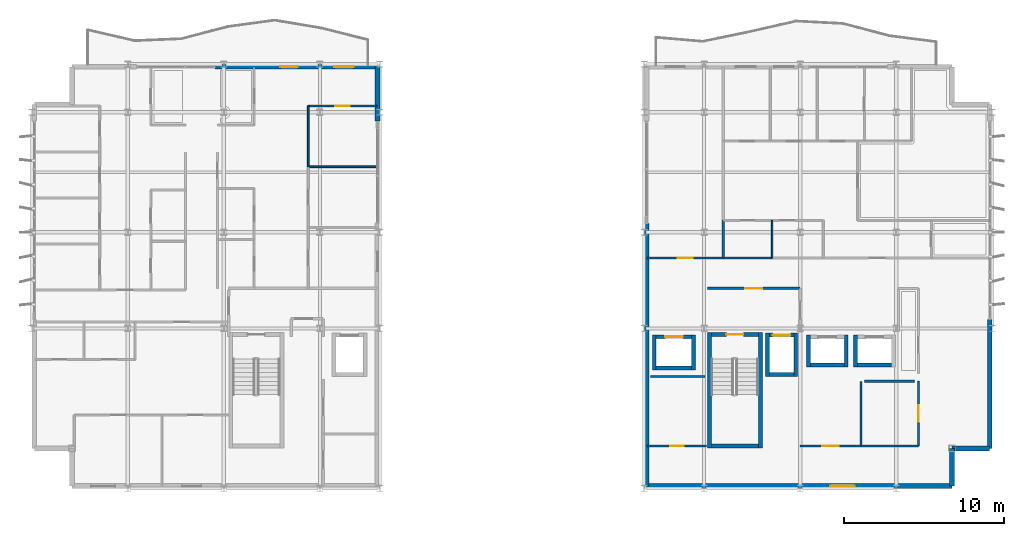
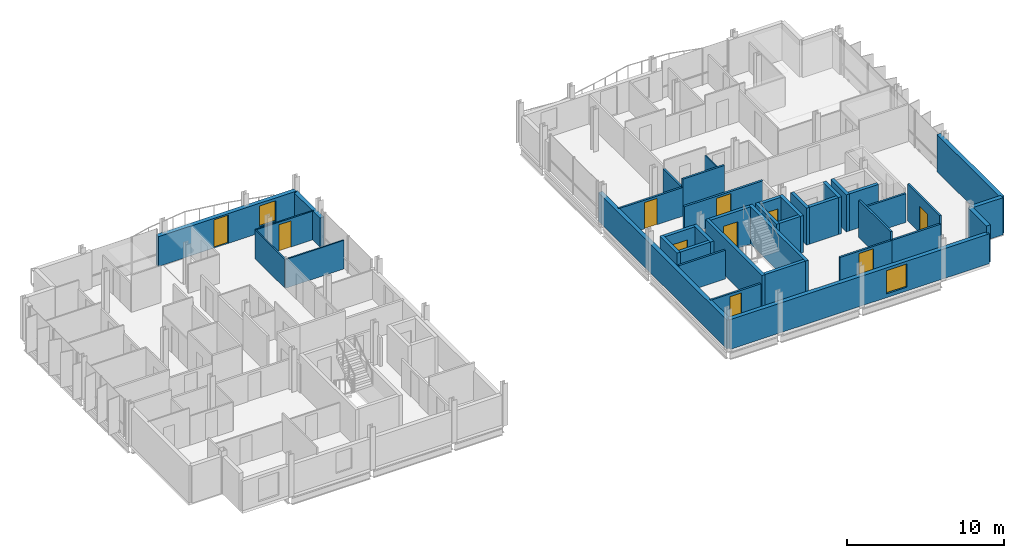
# One storey, part 24 of 30: 39 walls, 10 doors, 2 windows, 12 openings.
"""IFC4 building model written with IfcOpenShell, lengths in metres."""

from ifc_helpers import new_model, si_unit, direction, frame, frame_2d, origin, place, context, subcontext, project, spatial, rectangle, extrude, material, layer, layer_set, type_object, element, fill, save


model = new_model("IFC4")

# Units and contexts
model_context = context("Model", 3, precision=1e-05, world=origin(), true_north=direction((0.0, 1.0)))
body_context = subcontext(model_context, "Body", "Model", "MODEL_VIEW")
ifc_project = project(units=[si_unit("LENGTHUNIT", "METRE"), si_unit("AREAUNIT", "SQUARE_METRE"), si_unit("VOLUMEUNIT", "CUBIC_METRE"), si_unit("PLANEANGLEUNIT", "RADIAN"), si_unit("MASSUNIT", "GRAM", prefix="KILO")], contexts=[model_context])

# Site, building, storey
site_placement = place(None, origin())
site = spatial("IfcSite", under=ifc_project, at=site_placement, CompositionType="ELEMENT")
building_placement = place(site_placement, origin())
building = spatial("IfcBuilding", under=site, at=building_placement, Name="Brevholm Reach", CompositionType="ELEMENT")
storey_placement = place(building_placement, frame((0.0, 0.0, 211.10009765625)))
storey = spatial("IfcBuildingStorey", under=building, at=storey_placement, Name="L64", CompositionType="ELEMENT", Elevation=211.10009765625)

# Walls
ifc_material_1 = material(Name="Concrete C45/55", Category="concrete")
ifc_layer_1 = layer(ifc_material_1, 0.239990234375)
ifc_layer_set_1 = layer_set([ifc_layer_1], Name="Concrete C45/55")
wall_type_1 = type_object("IfcWallType", Name="WAL-COR-240", PredefinedType="SHEAR", material=ifc_layer_set_1)
for number, where, z_axis, x_axis, name in (
    (1, (42.330078125, 2.5400390625, 0.0), (0.0, 0.0, 1.0), (0.0, 1.0, 0.0), "L64 Escape Stair ST-2 Core Wall W"),
    (2, (45.52001953125, 2.5400390625, 0.0), (0.0, 0.0, 1.0), (0.0, 1.0, 0.0), "L64 Escape Stair ST-2 Core Wall E"),
):
    element("IfcWall", number, at=place(storey_placement, frame(where, z_axis=z_axis, x_axis=x_axis)), inside=storey, type_object=wall_type_1, Name=name, PredefinedType="SHEAR", context=body_context, shape_type="SweptSolid", body=[
        extrude(rectangle(XDim=7.199951171875, YDim=0.239990234375, at=frame_2d((3.60009765625, 0.0))), origin(), (0.0, 0.0, 1.0), 2.8798828125),
    ])
wall_1_placement = place(storey_placement, frame((42.449951171875, 2.659912109375, 0.0), z_axis=(0.0, 0.0, 1.0), x_axis=(1.0, 0.0, 0.0)))
element("IfcWall", 3, at=wall_1_placement, inside=storey, type_object=wall_type_1, Name="L64 Escape Stair ST-2 Core Wall S", PredefinedType="SHEAR", context=body_context, shape_type="SweptSolid", body=[
    extrude(rectangle(XDim=2.949951171875, YDim=0.239990234375, at=frame_2d((1.47509765625, 0.0))), origin(), (0.0, 0.0, 1.0), 2.8798828125),
])

# Wall, opening, door
wall_2_placement = place(storey_placement, frame((45.39990234375, 9.6201171875, 0.0), z_axis=(0.0, 0.0, 1.0), x_axis=(-1.0, 0.0, 0.0)))
wall_2 = element("IfcWall", 4, at=wall_2_placement, inside=storey, type_object=wall_type_1, Name="L64 Escape Stair ST-2 Core Wall N", PredefinedType="SHEAR", context=body_context, shape_type="SweptSolid", body=[
    extrude(rectangle(XDim=2.949951171875, YDim=0.239990234375, at=frame_2d((1.47509765625, 0.0))), origin(), (0.0, 0.0, 1.0), 2.8798828125),
])
opening_1_placement = place(wall_2_placement, frame((0.949951171875, 0.0, 0.0)))
opening_1 = element("IfcOpeningElement", 5, at=opening_1_placement, cuts=wall_2, Name="Opening SD-ST-2", PredefinedType="OPENING", context=body_context, shape_type="SweptSolid", body=[
    extrude(rectangle(XDim=1.050048828125, YDim=2.06005859375, at=frame_2d((0.52490234375, 1.030029296875))), frame((0.0, 0.1298828125, 0.0), z_axis=(0.0, -1.0, 0.0), x_axis=(1.0, 0.0, 0.0)), (0.0, 0.0, 1.0), 0.260009765625),
])
ifc_material_2 = material(Name="Hardwood-Lipped Steel-Core Fire and Smoke Door", Category="steel")
door_type_1 = type_object("IfcDoorType", Name="DOR-INT-FD60S", OperationType="NOTDEFINED", PredefinedType="DOOR", material=ifc_material_2)
door_1_placement = place(opening_1_placement, origin())
door_1 = element("IfcDoor", 6, at=door_1_placement, inside=storey, type_object=door_type_1, Name="L64 Protected Stair ST-2 Lobby Door", OperationType="SINGLE_SWING_LEFT", OverallHeight=2.06005859375, OverallWidth=1.050048828125, PredefinedType="DOOR", context=body_context, shape_type="SweptSolid", body=[
    extrude(rectangle(XDim=1.050048828125, YDim=2.06005859375, at=frame_2d((0.52490234375, 1.030029296875))), frame((0.0, 0.02490234375, 0.0), z_axis=(0.0, -1.0, 0.0), x_axis=(1.0, 0.0, 0.0)), (0.0, 0.0, 1.0), 0.050048828125),
])
fill(opening_1, door_1)

# Walls
for number, where, z_axis, x_axis, name in (
    (7, (45.969970703125, 7.0, 0.0), (0.0, 0.0, 1.0), (0.0, 1.0, 0.0), "L64 Lift FFL-2 Shaft Wall W"),
    (8, (47.72998046875, 7.0, 0.0), (0.0, 0.0, 1.0), (0.0, 1.0, 0.0), "L64 Lift FFL-2 Shaft Wall E"),
):
    element("IfcWall", number, at=place(storey_placement, frame(where, z_axis=z_axis, x_axis=x_axis)), inside=storey, type_object=wall_type_1, Name=name, PredefinedType="SHEAR", context=body_context, shape_type="SweptSolid", body=[
        extrude(rectangle(XDim=2.699951171875, YDim=0.239990234375, at=frame_2d((1.35009765625, 0.0))), origin(), (0.0, 0.0, 1.0), 2.8798828125),
    ])
wall_3_placement = place(storey_placement, frame((46.090087890625, 7.1201171875, 0.0), z_axis=(0.0, 0.0, 1.0), x_axis=(1.0, 0.0, 0.0)))
element("IfcWall", 9, at=wall_3_placement, inside=storey, type_object=wall_type_1, Name="L64 Lift FFL-2 Shaft Wall S", PredefinedType="SHEAR", context=body_context, shape_type="SweptSolid", body=[
    extrude(rectangle(XDim=1.52001953125, YDim=0.239990234375, at=frame_2d((0.760009765625, 0.0))), origin(), (0.0, 0.0, 1.0), 2.8798828125),
])

# Wall, opening, door
wall_4_placement = place(storey_placement, frame((46.090087890625, 9.580078125, 0.0), z_axis=(0.0, 0.0, 1.0), x_axis=(1.0, 0.0, 0.0)))
wall_4 = element("IfcWall", 10, at=wall_4_placement, inside=storey, type_object=wall_type_1, Name="L64 Lift FFL-2 Shaft Wall N", PredefinedType="SHEAR", context=body_context, shape_type="SweptSolid", body=[
    extrude(rectangle(XDim=1.52001953125, YDim=0.239990234375, at=frame_2d((0.760009765625, 0.0))), origin(), (0.0, 0.0, 1.0), 2.8798828125),
])
opening_2_placement = place(wall_4_placement, frame((0.2099609375, 0.0, 0.0)))
opening_2 = element("IfcOpeningElement", 11, at=opening_2_placement, cuts=wall_4, Name="Opening LD-FFL-2", PredefinedType="OPENING", context=body_context, shape_type="SweptSolid", body=[
    extrude(rectangle(XDim=1.10009765625, YDim=2.06005859375, at=frame_2d((0.550048828125, 1.030029296875))), frame((0.0, 0.1298828125, 0.0), z_axis=(0.0, -1.0, 0.0), x_axis=(1.0, 0.0, 0.0)), (0.0, 0.0, 1.0), 0.260009765625),
])
ifc_material_3 = material(Name="Brushed Stainless Steel Fire-Rated Sliding Lift Door", Category="steel")
door_type_2 = type_object("IfcDoorType", Name="DOR-LFT-1100", OperationType="NOTDEFINED", PredefinedType="DOOR", material=ifc_material_3)
door_2_placement = place(opening_2_placement, origin())
door_2 = element("IfcDoor", 12, at=door_2_placement, inside=storey, type_object=door_type_2, Name="L64 Lift FFL-2 Sliding Landing Door", OperationType="SLIDING_TO_LEFT", OverallHeight=2.06005859375, OverallWidth=1.10009765625, PredefinedType="DOOR", context=body_context, shape_type="SweptSolid", body=[
    extrude(rectangle(XDim=1.10009765625, YDim=2.06005859375, at=frame_2d((0.550048828125, 1.030029296875))), frame((0.0, 0.02490234375, 0.0), z_axis=(0.0, -1.0, 0.0), x_axis=(1.0, 0.0, 0.0)), (0.0, 0.0, 1.0), 0.050048828125),
])
fill(opening_2, door_2)

# Walls
for number, where, z_axis, x_axis, name in (
    (13, (38.889892578125, 7.39990234375, 0.0), (0.0, 0.0, 1.0), (0.0, 1.0, 0.0), "L64 Lift PL-S1 Shaft Wall W"),
    (14, (41.35009765625, 7.39990234375, 0.0), (0.0, 0.0, 1.0), (0.0, 1.0, 0.0), "L64 Lift PL-S1 Shaft Wall E"),
):
    element("IfcWall", number, at=place(storey_placement, frame(where, z_axis=z_axis, x_axis=x_axis)), inside=storey, type_object=wall_type_1, Name=name, PredefinedType="SHEAR", context=body_context, shape_type="SweptSolid", body=[
        extrude(rectangle(XDim=2.2001953125, YDim=0.239990234375, at=frame_2d((1.10009765625, 0.0))), origin(), (0.0, 0.0, 1.0), 2.8798828125),
    ])
wall_5_placement = place(storey_placement, frame((39.010009765625, 7.52001953125, 0.0), z_axis=(0.0, 0.0, 1.0), x_axis=(1.0, 0.0, 0.0)))
element("IfcWall", 15, at=wall_5_placement, inside=storey, type_object=wall_type_1, Name="L64 Lift PL-S1 Shaft Wall S", PredefinedType="SHEAR", context=body_context, shape_type="SweptSolid", body=[
    extrude(rectangle(XDim=2.219970703125, YDim=0.239990234375, at=frame_2d((1.10986328125, 0.0))), origin(), (0.0, 0.0, 1.0), 2.8798828125),
])

# Wall, opening, door
wall_6_placement = place(storey_placement, frame((39.010009765625, 9.47998046875, 0.0), z_axis=(0.0, 0.0, 1.0), x_axis=(1.0, 0.0, 0.0)))
wall_6 = element("IfcWall", 16, at=wall_6_placement, inside=storey, type_object=wall_type_1, Name="L64 Lift PL-S1 Shaft Wall N", PredefinedType="SHEAR", context=body_context, shape_type="SweptSolid", body=[
    extrude(rectangle(XDim=2.219970703125, YDim=0.239990234375, at=frame_2d((1.10986328125, 0.0))), origin(), (0.0, 0.0, 1.0), 2.8798828125),
])
opening_3_placement = place(wall_6_placement, frame((0.56005859375, 0.0, 0.0)))
opening_3 = element("IfcOpeningElement", 17, at=opening_3_placement, cuts=wall_6, Name="Opening LD-PL-S1", PredefinedType="OPENING", context=body_context, shape_type="SweptSolid", body=[
    extrude(rectangle(XDim=1.10009765625, YDim=2.06005859375, at=frame_2d((0.550048828125, 1.030029296875))), frame((0.0, 0.1298828125, 0.0), z_axis=(0.0, -1.0, 0.0), x_axis=(1.0, 0.0, 0.0)), (0.0, 0.0, 1.0), 0.260009765625),
])
door_3_placement = place(opening_3_placement, origin())
door_3 = element("IfcDoor", 18, at=door_3_placement, inside=storey, type_object=door_type_2, Name="L64 Lift PL-S1 Sliding Landing Door", OperationType="SLIDING_TO_RIGHT", OverallHeight=2.06005859375, OverallWidth=1.10009765625, PredefinedType="DOOR", context=body_context, shape_type="SweptSolid", body=[
    extrude(rectangle(XDim=1.10009765625, YDim=2.06005859375, at=frame_2d((0.550048828125, 1.030029296875))), frame((0.0, 0.02490234375, 0.0), z_axis=(0.0, -1.0, 0.0), x_axis=(1.0, 0.0, 0.0)), (0.0, 0.0, 1.0), 0.050048828125),
])
fill(opening_3, door_3)

# Walls
for number, where, z_axis, x_axis, name in (
    (19, (48.52001953125, 7.60009765625, 0.0), (0.0, 0.0, 1.0), (0.0, 1.0, 0.0), "L64 Lift PL-H1 Shaft Wall W"),
    (20, (50.8798828125, 7.60009765625, 0.0), (0.0, 0.0, 1.0), (0.0, 1.0, 0.0), "L64 Lift PL-H1 Shaft Wall E"),
):
    element("IfcWall", number, at=place(storey_placement, frame(where, z_axis=z_axis, x_axis=x_axis)), inside=storey, type_object=wall_type_1, Name=name, PredefinedType="SHEAR", context=body_context, shape_type="SweptSolid", body=[
        extrude(rectangle(XDim=2.0, YDim=0.239990234375, at=frame_2d((1.0, 0.0))), origin(), (0.0, 0.0, 1.0), 2.8798828125),
    ])
wall_7_placement = place(storey_placement, frame((48.639892578125, 7.719970703125, 0.0), z_axis=(0.0, 0.0, 1.0), x_axis=(1.0, 0.0, 0.0)))
element("IfcWall", 21, at=wall_7_placement, inside=storey, type_object=wall_type_1, Name="L64 Lift PL-H1 Shaft Wall S", PredefinedType="SHEAR", context=body_context, shape_type="SweptSolid", body=[
    extrude(rectangle(XDim=2.1201171875, YDim=0.239990234375, at=frame_2d((1.06005859375, 0.0))), origin(), (0.0, 0.0, 1.0), 2.8798828125),
])
wall_8_placement = place(storey_placement, frame((51.469970703125, 7.60009765625, 0.0), z_axis=(0.0, 0.0, 1.0), x_axis=(0.0, 1.0, 0.0)))
element("IfcWall", 22, at=wall_8_placement, inside=storey, type_object=wall_type_1, Name="L64 Lift PL-H2 Shaft Wall W", PredefinedType="SHEAR", context=body_context, shape_type="SweptSolid", body=[
    extrude(rectangle(XDim=2.0, YDim=0.239990234375, at=frame_2d((1.0, 0.0))), origin(), (0.0, 0.0, 1.0), 2.8798828125),
])
wall_9_placement = place(storey_placement, frame((51.590087890625, 7.719970703125, 0.0), z_axis=(0.0, 0.0, 1.0), x_axis=(1.0, 0.0, 0.0)))
element("IfcWall", 23, at=wall_9_placement, inside=storey, type_object=wall_type_1, Name="L64 Lift PL-H2 Shaft Wall S", PredefinedType="SHEAR", context=body_context, shape_type="SweptSolid", body=[
    extrude(rectangle(XDim=2.119873046875, YDim=0.239990234375, at=frame_2d((1.06005859375, 0.0))), origin(), (0.0, 0.0, 1.0), 2.8798828125),
])
ifc_material_4 = material(Name="Concrete C40/50", Category="concrete")
ifc_layer_2 = layer(ifc_material_4, 0.300048828125)
ifc_layer_set_2 = layer_set([ifc_layer_2], Name="Concrete C40/50")
wall_type_2 = type_object("IfcWallType", Name="WAL-EXT-300", PredefinedType="STANDARD", material=ifc_layer_set_2)
for number, where, z_axis, x_axis, name in (
    (24, (57.5, 0.14990234375, 0.0), (0.0, 0.0, 1.0), (0.0, 1.0, 0.0), "L64 Facade Wall WAL-L64-EW-CSE1"),
    (25, (57.5, 2.5, 0.0), (0.0, 0.0, 1.0), (1.0, 0.0, 0.0), "L64 Facade Wall WAL-L64-EW-CSE2"),
):
    element("IfcWall", number, at=place(storey_placement, frame(where, z_axis=z_axis, x_axis=x_axis)), inside=storey, type_object=wall_type_2, Name=name, PredefinedType="STANDARD", context=body_context, shape_type="SweptSolid", body=[
        extrude(rectangle(XDim=2.35009765625, YDim=0.300048828125, at=frame_2d((1.175048828125, 0.0))), origin(), (0.0, 0.0, 1.0), 2.8798828125),
    ])

# Wall, openings, door, window
wall_10_placement = place(storey_placement, frame((11.449951171875, 26.35009765625, 0.0), z_axis=(0.0, 0.0, 1.0), x_axis=(1.0, 0.0, 0.0)))
wall_10 = element("IfcWall", 26, at=wall_10_placement, inside=storey, type_object=wall_type_2, Name="L64 Facade Wall WAL-L64-WW-NP2", PredefinedType="STANDARD", context=body_context, shape_type="SweptSolid", body=[
    extrude(rectangle(XDim=10.150146484375, YDim=0.300048828125, at=frame_2d((5.0751953125, 0.0))), origin(), (0.0, 0.0, 1.0), 2.3154296875),
])
opening_4_placement = place(wall_10_placement, frame((4.073974609375, 0.0, 0.0)))
opening_4 = element("IfcOpeningElement", 27, at=opening_4_placement, cuts=wall_10, Name="Opening BD-01", PredefinedType="OPENING", context=body_context, shape_type="SweptSolid", body=[
    extrude(rectangle(XDim=1.10009765625, YDim=2.199951171875, at=frame_2d((0.550048828125, 1.10009765625))), frame((0.0, 0.159912109375, 0.0), z_axis=(0.0, -1.0, 0.0), x_axis=(1.0, 0.0, 0.0)), (0.0, 0.0, 1.0), 0.320068359375),
])
opening_5_placement = place(wall_10_placement, frame((7.449951171875, 0.0, 0.49609375)))
opening_5 = element("IfcOpeningElement", 28, at=opening_5_placement, cuts=wall_10, Name="Opening WN-08", PredefinedType="OPENING", context=body_context, shape_type="SweptSolid", body=[
    extrude(rectangle(XDim=1.199951171875, YDim=1.60009765625, at=frame_2d((0.60009765625, 0.800048828125))), frame((0.0, 0.159912109375, 0.0), z_axis=(0.0, -1.0, 0.0), x_axis=(1.0, 0.0, 0.0)), (0.0, 0.0, 1.0), 0.320068359375),
])
ifc_material_5 = material(Name="Dark Anodised Aluminium and Triple-Glazed Glass", Category="aluminium")
door_type_3 = type_object("IfcDoorType", Name="DOR-BALC-1100", OperationType="NOTDEFINED", PredefinedType="DOOR", material=ifc_material_5)
door_4_placement = place(opening_4_placement, origin())
door_4 = element("IfcDoor", 29, at=door_4_placement, inside=storey, type_object=door_type_3, Name="L64 Exterior Door DOR-L64-BL-NW", OperationType="SINGLE_SWING_LEFT", OverallHeight=2.199951171875, OverallWidth=1.10009765625, PredefinedType="DOOR", context=body_context, shape_type="SweptSolid", body=[
    extrude(rectangle(XDim=1.10009765625, YDim=2.199951171875, at=frame_2d((0.550048828125, 1.10009765625))), frame((0.0, 0.02490234375, 0.0), z_axis=(0.0, -1.0, 0.0), x_axis=(1.0, 0.0, 0.0)), (0.0, 0.0, 1.0), 0.050048828125),
])
fill(opening_4, door_4)
ifc_material_6 = material(Name="Dark Anodised Aluminium and Solar-Control IGU Glass", Category="aluminium")
window_type_1 = type_object("IfcWindowType", Name="WIN-RES-1200", PartitioningType="SINGLE_PANEL", PredefinedType="WINDOW", material=ifc_material_6)
window_1_placement = place(opening_5_placement, origin())
window_1 = element("IfcWindow", 30, at=window_1_placement, inside=storey, type_object=window_type_1, Name="L64 Window WIN-L64-WW-NP2", OverallHeight=1.60009765625, OverallWidth=1.199951171875, PartitioningType="SINGLE_PANEL", PredefinedType="WINDOW", context=body_context, shape_type="SweptSolid", body=[
    extrude(rectangle(XDim=1.199951171875, YDim=1.60009765625, at=frame_2d((0.60009765625, 0.800048828125))), frame((0.0, 0.030029296875, 0.0), z_axis=(0.0, -1.0, 0.0), x_axis=(1.0, 0.0, 0.0)), (0.0, 0.0, 1.0), 0.06005859375),
])
fill(opening_5, window_1)

# Walls
wall_11_placement = place(storey_placement, frame((21.60009765625, 22.949951171875, 0.0), z_axis=(0.0, 0.0, 1.0), x_axis=(0.0, 1.0, 0.0)))
element("IfcWall", 31, at=wall_11_placement, inside=storey, type_object=wall_type_2, Name="L64 Facade Wall WAL-L64-VP-WN", PredefinedType="STANDARD", context=body_context, shape_type="SweptSolid", body=[
    extrude(rectangle(XDim=3.400146484375, YDim=0.300048828125, at=frame_2d((1.7001953125, 0.0))), origin(), (0.0, 0.0, 1.0), 2.234619140625),
])
wall_12_placement = place(storey_placement, frame((38.39990234375, 16.550048828125, 0.0), z_axis=(0.0, 0.0, 1.0), x_axis=(0.0, -1.0, 0.0)))
element("IfcWall", 32, at=wall_12_placement, inside=storey, type_object=wall_type_2, Name="L64 Facade Wall WAL-L64-VP-ES", PredefinedType="STANDARD", context=body_context, shape_type="SweptSolid", body=[
    extrude(rectangle(XDim=16.400146484375, YDim=0.300048828125, at=frame_2d((8.2001953125, 0.0))), origin(), (0.0, 0.0, 1.0), 2.234619140625),
])

# Wall, opening, window
wall_13_placement = place(storey_placement, frame((38.39990234375, 0.14990234375, 0.0), z_axis=(0.0, 0.0, 1.0), x_axis=(1.0, 0.0, 0.0)))
wall_13 = element("IfcWall", 33, at=wall_13_placement, inside=storey, type_object=wall_type_2, Name="L64 Facade Wall WAL-L64-EW-S", PredefinedType="STANDARD", context=body_context, shape_type="SweptSolid", body=[
    extrude(rectangle(XDim=19.10009765625, YDim=0.300048828125, at=frame_2d((9.550048828125, 0.0))), origin(), (0.0, 0.0, 1.0), 2.3154296875),
])
opening_6_placement = place(wall_13_placement, frame((11.5, 0.0, 0.2958984375)))
opening_6 = element("IfcOpeningElement", 34, at=opening_6_placement, cuts=wall_13, Name="Opening WN-05", PredefinedType="OPENING", context=body_context, shape_type="SweptSolid", body=[
    extrude(rectangle(XDim=1.5, YDim=1.800048828125, at=frame_2d((0.75, 0.89990234375))), frame((0.0, 0.159912109375, 0.0), z_axis=(0.0, -1.0, 0.0), x_axis=(1.0, 0.0, 0.0)), (0.0, 0.0, 1.0), 0.320068359375),
])
ifc_material_7 = material(Name="Dark Anodised Aluminium and Solar-Control IGU Glass", Category="aluminium")
window_type_2 = type_object("IfcWindowType", Name="WIN-RES-1500", PartitioningType="SINGLE_PANEL", PredefinedType="WINDOW", material=ifc_material_7)
window_2_placement = place(opening_6_placement, origin())
window_2 = element("IfcWindow", 35, at=window_2_placement, inside=storey, type_object=window_type_2, Name="L64 Window WIN-L64-EWS-1", OverallHeight=1.800048828125, OverallWidth=1.5, PartitioningType="SINGLE_PANEL", PredefinedType="WINDOW", context=body_context, shape_type="SweptSolid", body=[
    extrude(rectangle(XDim=1.5, YDim=1.800048828125, at=frame_2d((0.75, 0.89990234375))), frame((0.0, 0.030029296875, 0.0), z_axis=(0.0, -1.0, 0.0), x_axis=(1.0, 0.0, 0.0)), (0.0, 0.0, 1.0), 0.06005859375),
])
fill(opening_6, window_2)

# Walls
wall_14_placement = place(storey_placement, frame((59.85009765625, 2.5, 0.0), z_axis=(0.0, 0.0, 1.0), x_axis=(0.0, 1.0, 0.0)))
element("IfcWall", 36, at=wall_14_placement, inside=storey, type_object=wall_type_2, Name="L64 Facade Wall WAL-L64-EW-ES", PredefinedType="STANDARD", context=body_context, shape_type="SweptSolid", body=[
    extrude(rectangle(XDim=8.050048828125, YDim=0.300048828125, at=frame_2d((4.02490234375, 0.0))), origin(), (0.0, 0.0, 1.0), 2.8798828125),
])
ifc_material_8 = material(Name="Moisture-Resistant Acoustic Gypsum Stud Partition 100 mm", Category="gypsum")
ifc_layer_3 = layer(ifc_material_8, 0.10009765625)
ifc_layer_set_3 = layer_set([ifc_layer_3], Name="Moisture-Resistant Acoustic Gypsum Stud Partition 100 mm")
wall_type_3 = type_object("IfcWallType", Name="WAL-PRT-100", PredefinedType="PARTITIONING", material=ifc_layer_set_3)
wall_15_placement = place(storey_placement, frame((17.27099609375, 20.10009765625, 0.0), z_axis=(0.0, 0.0, 1.0), x_axis=(1.0, 0.0, 0.0)))
element("IfcWall", 37, at=wall_15_placement, inside=storey, type_object=wall_type_3, Name="L64 Internal Partition 069", PredefinedType="PARTITIONING", context=body_context, shape_type="SweptSolid", body=[
    extrude(rectangle(XDim=4.279052734375, YDim=0.10009765625, at=frame_2d((2.1396484375, 0.0))), origin(), (0.0, 0.0, 1.0), 2.234619140625),
])

# Wall, opening, door
wall_16_placement = place(storey_placement, frame((17.27099609375, 23.89990234375, 0.0), z_axis=(0.0, 0.0, 1.0), x_axis=(1.0, 0.0, 0.0)))
wall_16 = element("IfcWall", 38, at=wall_16_placement, inside=storey, type_object=wall_type_3, Name="L64 Internal Partition 071", PredefinedType="PARTITIONING", context=body_context, shape_type="SweptSolid", body=[
    extrude(rectangle(XDim=4.279052734375, YDim=0.10009765625, at=frame_2d((2.1396484375, 0.0))), origin(), (0.0, 0.0, 1.0), 2.234619140625),
])
opening_7_placement = place(wall_16_placement, frame((1.699462890625, 0.0, 0.0)))
opening_7 = element("IfcOpeningElement", 39, at=opening_7_placement, cuts=wall_16, Name="Opening ID-01", PredefinedType="OPENING", context=body_context, shape_type="SweptSolid", body=[
    extrude(rectangle(XDim=0.8798828125, YDim=2.0400390625, at=frame_2d((0.43994140625, 1.02001953125))), frame((0.0, 0.06005859375, 0.0), z_axis=(0.0, -1.0, 0.0), x_axis=(1.0, 0.0, 0.0)), (0.0, 0.0, 1.0), 0.1201171875),
])
ifc_material_9 = material(Name="Lacquered Ash Solid-Core Acoustic Internal Door", Category="timber")
door_type_4 = type_object("IfcDoorType", Name="DOR-INT-880", OperationType="NOTDEFINED", PredefinedType="DOOR", material=ifc_material_9)
door_5_placement = place(opening_7_placement, origin())
door_5 = element("IfcDoor", 40, at=door_5_placement, inside=storey, type_object=door_type_4, Name="L64 Internal Door 032", OperationType="SINGLE_SWING_LEFT", OverallHeight=2.0400390625, OverallWidth=0.8798828125, PredefinedType="DOOR", context=body_context, shape_type="SweptSolid", body=[
    extrude(rectangle(XDim=0.8798828125, YDim=2.0400390625, at=frame_2d((0.43994140625, 1.02001953125))), frame((0.0, 0.02490234375, 0.0), z_axis=(0.0, -1.0, 0.0), x_axis=(1.0, 0.0, 0.0)), (0.0, 0.0, 1.0), 0.050048828125),
])
fill(opening_7, door_5)

# Walls
wall_17_placement = place(storey_placement, frame((17.27099609375, 20.10400390625, 0.0), z_axis=(0.0, 0.0, 1.0), x_axis=(0.0, 1.0, 0.0)))
element("IfcWall", 41, at=wall_17_placement, inside=storey, type_object=wall_type_3, Name="L64 Internal Partition 072", PredefinedType="PARTITIONING", context=body_context, shape_type="SweptSolid", body=[
    extrude(rectangle(XDim=3.7958984375, YDim=0.10009765625, at=frame_2d((1.89794921875, 0.0))), origin(), (0.0, 0.0, 1.0), 2.234619140625),
])
wall_18_placement = place(storey_placement, frame((46.25, 14.404052734375, 0.0), z_axis=(0.0, 0.0, 1.0), x_axis=(0.0, 1.0, 0.0)))
element("IfcWall", 42, at=wall_18_placement, inside=storey, type_object=wall_type_3, Name="L64 Internal Partition 076", PredefinedType="PARTITIONING", context=body_context, shape_type="SweptSolid", body=[
    extrude(rectangle(XDim=2.345947265625, YDim=0.10009765625, at=frame_2d((1.1728515625, 0.0))), origin(), (0.0, 0.0, 1.0), 2.234619140625),
])

# Wall, opening, door
ifc_material_10 = material(Name="Twin-Stud Acoustic Fire-Rated Gypsum Partition 140 mm", Category="gypsum")
ifc_layer_4 = layer(ifc_material_10, 0.139892578125)
ifc_layer_set_4 = layer_set([ifc_layer_4], Name="Twin-Stud Acoustic Fire-Rated Gypsum Partition 140 mm")
wall_type_4 = type_object("IfcWallType", Name="WAL-PRT-140", PredefinedType="PARTITIONING", material=ifc_layer_set_4)
wall_19_placement = place(storey_placement, frame((55.39990234375, 2.64990234375, 0.0), z_axis=(0.0, 0.0, 1.0), x_axis=(0.0, 1.0, 0.0)))
wall_19 = element("IfcWall", 43, at=wall_19_placement, inside=storey, type_object=wall_type_4, Name="L64 Internal Partition 006", PredefinedType="PARTITIONING", context=body_context, shape_type="SweptSolid", body=[
    extrude(rectangle(XDim=4.061279296875, YDim=0.139892578125, at=frame_2d((2.03076171875, 0.0))), origin(), (0.0, 0.0, 1.0), 2.8798828125),
])
opening_8_placement = place(wall_19_placement, frame((1.505615234375, 0.0, 0.0)))
opening_8 = element("IfcOpeningElement", 44, at=opening_8_placement, cuts=wall_19, Name="Opening FD-01", PredefinedType="OPENING", context=body_context, shape_type="SweptSolid", body=[
    extrude(rectangle(XDim=1.050048828125, YDim=2.06005859375, at=frame_2d((0.52490234375, 1.030029296875))), frame((0.0, 0.079833984375, 0.0), z_axis=(0.0, -1.0, 0.0), x_axis=(1.0, 0.0, 0.0)), (0.0, 0.0, 1.0), 0.159912109375),
])
door_6_placement = place(opening_8_placement, origin())
door_6 = element("IfcDoor", 45, at=door_6_placement, inside=storey, type_object=door_type_1, Name="L64 Internal Door 004", OperationType="SINGLE_SWING_LEFT", OverallHeight=2.06005859375, OverallWidth=1.050048828125, PredefinedType="DOOR", context=body_context, shape_type="SweptSolid", body=[
    extrude(rectangle(XDim=1.050048828125, YDim=2.06005859375, at=frame_2d((0.52490234375, 1.030029296875))), frame((0.0, 0.02490234375, 0.0), z_axis=(0.0, -1.0, 0.0), x_axis=(1.0, 0.0, 0.0)), (0.0, 0.0, 1.0), 0.050048828125),
])
fill(opening_8, door_6)

wall_20_placement = place(storey_placement, frame((38.449951171875, 2.64990234375, 0.0), z_axis=(0.0, 0.0, 1.0), x_axis=(1.0, 0.0, 0.0)))
wall_20 = element("IfcWall", 46, at=wall_20_placement, inside=storey, type_object=wall_type_4, Name="L64 Internal Partition 008", PredefinedType="PARTITIONING", context=body_context, shape_type="SweptSolid", body=[
    extrude(rectangle(XDim=3.71142578125, YDim=0.139892578125, at=frame_2d((1.855712890625, 0.0))), origin(), (0.0, 0.0, 1.0), 2.234619140625),
])
opening_9_placement = place(wall_20_placement, frame((1.445556640625, 0.0, 0.0)))
opening_9 = element("IfcOpeningElement", 47, at=opening_9_placement, cuts=wall_20, Name="Opening ID-02", PredefinedType="OPENING", context=body_context, shape_type="SweptSolid", body=[
    extrude(rectangle(XDim=0.820068359375, YDim=2.02001953125, at=frame_2d((0.41015625, 1.010009765625))), frame((0.0, 0.079833984375, 0.0), z_axis=(0.0, -1.0, 0.0), x_axis=(1.0, 0.0, 0.0)), (0.0, 0.0, 1.0), 0.159912109375),
])
ifc_material_11 = material(Name="Moisture-Resistant Painted Timber Fire-Rated Riser and Service Door", Category="wood")
door_type_5 = type_object("IfcDoorType", Name="DOR-SRV-820", OperationType="NOTDEFINED", PredefinedType="DOOR", material=ifc_material_11)
door_7_placement = place(opening_9_placement, origin())
door_7 = element("IfcDoor", 48, at=door_7_placement, inside=storey, type_object=door_type_5, Name="L64 Internal Door 006", OperationType="SINGLE_SWING_LEFT", OverallHeight=2.02001953125, OverallWidth=0.820068359375, PredefinedType="DOOR", context=body_context, shape_type="SweptSolid", body=[
    extrude(rectangle(XDim=0.820068359375, YDim=2.02001953125, at=frame_2d((0.41015625, 1.010009765625))), frame((0.0, 0.02490234375, 0.0), z_axis=(0.0, -1.0, 0.0), x_axis=(1.0, 0.0, 0.0)), (0.0, 0.0, 1.0), 0.050048828125),
])
fill(opening_9, door_7)

wall_21_placement = place(storey_placement, frame((47.98876953125, 2.64990234375, 0.0), z_axis=(0.0, 0.0, 1.0), x_axis=(1.0, 0.0, 0.0)))
wall_21 = element("IfcWall", 49, at=wall_21_placement, inside=storey, type_object=wall_type_4, Name="L64 Internal Partition 009", PredefinedType="PARTITIONING", context=body_context, shape_type="SweptSolid", body=[
    extrude(rectangle(XDim=3.822509765625, YDim=0.139892578125, at=frame_2d((1.9111328125, 0.0))), origin(), (0.0, 0.0, 1.0), 2.234619140625),
])
opening_10_placement = place(wall_21_placement, frame((1.38623046875, 0.0, 0.0)))
opening_10 = element("IfcOpeningElement", 50, at=opening_10_placement, cuts=wall_21, Name="Opening FD-01", PredefinedType="OPENING", context=body_context, shape_type="SweptSolid", body=[
    extrude(rectangle(XDim=1.050048828125, YDim=2.06005859375, at=frame_2d((0.52490234375, 1.030029296875))), frame((0.0, 0.079833984375, 0.0), z_axis=(0.0, -1.0, 0.0), x_axis=(1.0, 0.0, 0.0)), (0.0, 0.0, 1.0), 0.159912109375),
])
door_8_placement = place(opening_10_placement, origin())
door_8 = element("IfcDoor", 51, at=door_8_placement, inside=storey, type_object=door_type_1, Name="L64 Internal Door 007", OperationType="SINGLE_SWING_RIGHT", OverallHeight=2.06005859375, OverallWidth=1.050048828125, PredefinedType="DOOR", context=body_context, shape_type="SweptSolid", body=[
    extrude(rectangle(XDim=1.050048828125, YDim=2.06005859375, at=frame_2d((0.52490234375, 1.030029296875))), frame((0.0, 0.02490234375, 0.0), z_axis=(0.0, -1.0, 0.0), x_axis=(1.0, 0.0, 0.0)), (0.0, 0.0, 1.0), 0.050048828125),
])
fill(opening_10, door_8)

# Walls
wall_22_placement = place(storey_placement, frame((51.792724609375, 2.64990234375, 0.0), z_axis=(0.0, 0.0, 1.0), x_axis=(1.0, 0.0, 0.0)))
element("IfcWall", 52, at=wall_22_placement, inside=storey, type_object=wall_type_4, Name="L64 Internal Partition 010", PredefinedType="PARTITIONING", context=body_context, shape_type="SweptSolid", body=[
    extrude(rectangle(XDim=3.603271484375, YDim=0.139892578125, at=frame_2d((1.8017578125, 0.0))), origin(), (0.0, 0.0, 1.0), 2.234619140625),
])
wall_23_placement = place(storey_placement, frame((51.800048828125, 2.654052734375, 0.0), z_axis=(0.0, 0.0, 1.0), x_axis=(0.0, 1.0, 0.0)))
element("IfcWall", 53, at=wall_23_placement, inside=storey, type_object=wall_type_4, Name="L64 Internal Partition 012", PredefinedType="PARTITIONING", context=body_context, shape_type="SweptSolid", body=[
    extrude(rectangle(XDim=4.0458984375, YDim=0.139892578125, at=frame_2d((2.02294921875, 0.0))), origin(), (0.0, 0.0, 1.0), 2.8798828125),
])

# Wall, opening, door
wall_24_placement = place(storey_placement, frame((38.449951171875, 14.39990234375, 0.0), z_axis=(0.0, 0.0, 1.0), x_axis=(1.0, 0.0, 0.0)))
wall_24 = element("IfcWall", 54, at=wall_24_placement, inside=storey, type_object=wall_type_4, Name="L64 Internal Partition 034", PredefinedType="PARTITIONING", context=body_context, shape_type="SweptSolid", body=[
    extrude(rectangle(XDim=4.76123046875, YDim=0.139892578125, at=frame_2d((2.380615234375, 0.0))), origin(), (0.0, 0.0, 1.0), 2.234619140625),
])
opening_11_placement = place(wall_24_placement, frame((1.905517578125, 0.0, 0.0)))
opening_11 = element("IfcOpeningElement", 55, at=opening_11_placement, cuts=wall_24, Name="Opening ID-30", PredefinedType="OPENING", context=body_context, shape_type="SweptSolid", body=[
    extrude(rectangle(XDim=0.949951171875, YDim=2.050048828125, at=frame_2d((0.47509765625, 1.02490234375))), frame((0.0, 0.079833984375, 0.0), z_axis=(0.0, -1.0, 0.0), x_axis=(1.0, 0.0, 0.0)), (0.0, 0.0, 1.0), 0.159912109375),
])
ifc_material_12 = material(Name="European Oak Veneered Solid-Core Fire Entrance Door", Category="timber")
door_type_6 = type_object("IfcDoorType", Name="DOR-FLT-FD30S", OperationType="NOTDEFINED", PredefinedType="DOOR", material=ifc_material_12)
door_9_placement = place(opening_11_placement, origin())
door_9 = element("IfcDoor", 56, at=door_9_placement, inside=storey, type_object=door_type_6, Name="L64 Internal Door 014", OperationType="SINGLE_SWING_LEFT", OverallHeight=2.050048828125, OverallWidth=0.949951171875, PredefinedType="DOOR", context=body_context, shape_type="SweptSolid", body=[
    extrude(rectangle(XDim=0.949951171875, YDim=2.050048828125, at=frame_2d((0.47509765625, 1.02490234375))), frame((0.0, 0.02490234375, 0.0), z_axis=(0.0, -1.0, 0.0), x_axis=(1.0, 0.0, 0.0)), (0.0, 0.0, 1.0), 0.050048828125),
])
fill(opening_11, door_9)

# Walls
wall_25_placement = place(storey_placement, frame((43.192626953125, 14.39990234375, 0.0), z_axis=(0.0, 0.0, 1.0), x_axis=(1.0, 0.0, 0.0)))
element("IfcWall", 57, at=wall_25_placement, inside=storey, type_object=wall_type_4, Name="L64 Internal Partition 035", PredefinedType="PARTITIONING", context=body_context, shape_type="SweptSolid", body=[
    extrude(rectangle(XDim=3.068603515625, YDim=0.139892578125, at=frame_2d((1.5341796875, 0.0))), origin(), (0.0, 0.0, 1.0), 2.8798828125),
])
wall_26_placement = place(storey_placement, frame((43.199951171875, 14.404052734375, 0.0), z_axis=(0.0, 0.0, 1.0), x_axis=(0.0, 1.0, 0.0)))
element("IfcWall", 58, at=wall_26_placement, inside=storey, type_object=wall_type_4, Name="L64 Internal Partition 073", PredefinedType="PARTITIONING", context=body_context, shape_type="SweptSolid", body=[
    extrude(rectangle(XDim=2.357177734375, YDim=0.139892578125, at=frame_2d((1.1787109375, 0.0))), origin(), (0.0, 0.0, 1.0), 2.234619140625),
])
wall_27_placement = place(storey_placement, frame((38.639892578125, 7.0, 0.0), z_axis=(0.0, 0.0, 1.0), x_axis=(1.0, 0.0, 0.0)))
element("IfcWall", 59, at=wall_27_placement, inside=storey, type_object=wall_type_4, Name="L64 Internal Partition 093", PredefinedType="PARTITIONING", context=body_context, shape_type="SweptSolid", body=[
    extrude(rectangle(XDim=3.420166015625, YDim=0.139892578125, at=frame_2d((1.7099609375, 0.0))), origin(), (0.0, 0.0, 1.0), 2.234619140625),
])
wall_28_placement = place(storey_placement, frame((52.0400390625, 6.699951171875, 0.0), z_axis=(0.0, 0.0, 1.0), x_axis=(1.0, 0.0, 0.0)))
element("IfcWall", 60, at=wall_28_placement, inside=storey, type_object=wall_type_4, Name="L64 Internal Partition 094", PredefinedType="PARTITIONING", context=body_context, shape_type="SweptSolid", body=[
    extrude(rectangle(XDim=3.119873046875, YDim=0.139892578125, at=frame_2d((1.56005859375, 0.0))), origin(), (0.0, 0.0, 1.0), 2.234619140625),
])

# Wall, opening, door
ifc_material_13 = material(Name="Twin-Frame Fire-Rated Gypsum Board and Mineral Wool 160 mm", Category="gypsum")
ifc_layer_5 = layer(ifc_material_13, 0.159912109375)
ifc_layer_set_5 = layer_set([ifc_layer_5], Name="Twin-Frame Fire-Rated Gypsum Board and Mineral Wool 160 mm")
wall_type_5 = type_object("IfcWallType", Name="WAL-PRT-160", PredefinedType="PARTITIONING", material=ifc_layer_set_5)
wall_29_placement = place(storey_placement, frame((42.199951171875, 12.5, 0.0), z_axis=(0.0, 0.0, 1.0), x_axis=(1.0, 0.0, 0.0)))
wall_29 = element("IfcWall", 61, at=wall_29_placement, inside=storey, type_object=wall_type_5, Name="L64 Internal Partition 031", PredefinedType="PARTITIONING", context=body_context, shape_type="SweptSolid", body=[
    extrude(rectangle(XDim=5.800048828125, YDim=0.159912109375, at=frame_2d((2.89990234375, 0.0))), origin(), (0.0, 0.0, 1.0), 2.234619140625),
])
opening_12_placement = place(wall_29_placement, frame((2.375, 0.0, 0.0)))
opening_12 = element("IfcOpeningElement", 62, at=opening_12_placement, cuts=wall_29, Name="Opening FD-01", PredefinedType="OPENING", context=body_context, shape_type="SweptSolid", body=[
    extrude(rectangle(XDim=1.050048828125, YDim=2.06005859375, at=frame_2d((0.52490234375, 1.030029296875))), frame((0.0, 0.08984375, 0.0), z_axis=(0.0, -1.0, 0.0), x_axis=(1.0, 0.0, 0.0)), (0.0, 0.0, 1.0), 0.179931640625),
])
door_10_placement = place(opening_12_placement, origin())
door_10 = element("IfcDoor", 63, at=door_10_placement, inside=storey, type_object=door_type_1, Name="L64 Internal Door 013", OperationType="SINGLE_SWING_RIGHT", OverallHeight=2.06005859375, OverallWidth=1.050048828125, PredefinedType="DOOR", context=body_context, shape_type="SweptSolid", body=[
    extrude(rectangle(XDim=1.050048828125, YDim=2.06005859375, at=frame_2d((0.52490234375, 1.030029296875))), frame((0.0, 0.02490234375, 0.0), z_axis=(0.0, -1.0, 0.0), x_axis=(1.0, 0.0, 0.0)), (0.0, 0.0, 1.0), 0.050048828125),
])
fill(opening_12, door_10)

save(model, "model.ifc")
